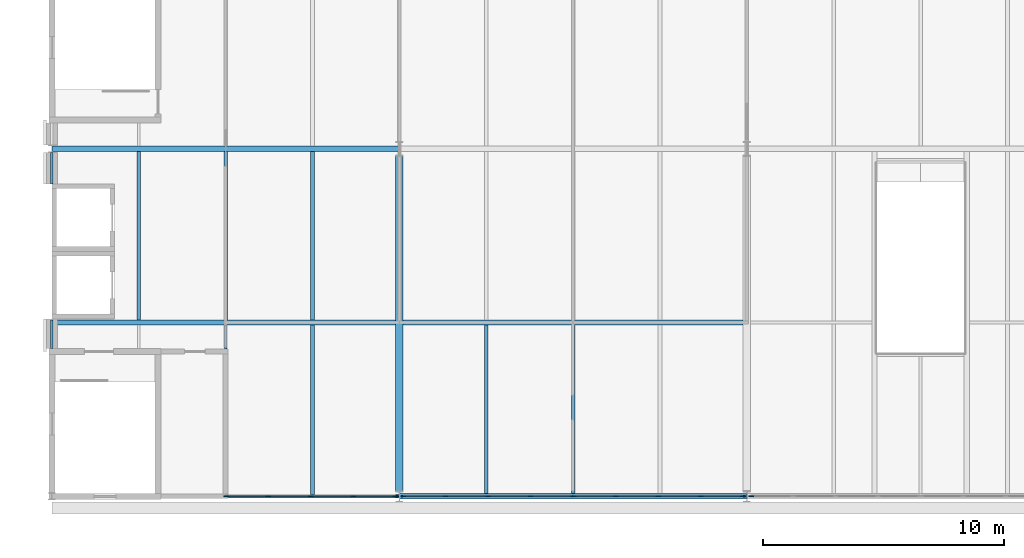
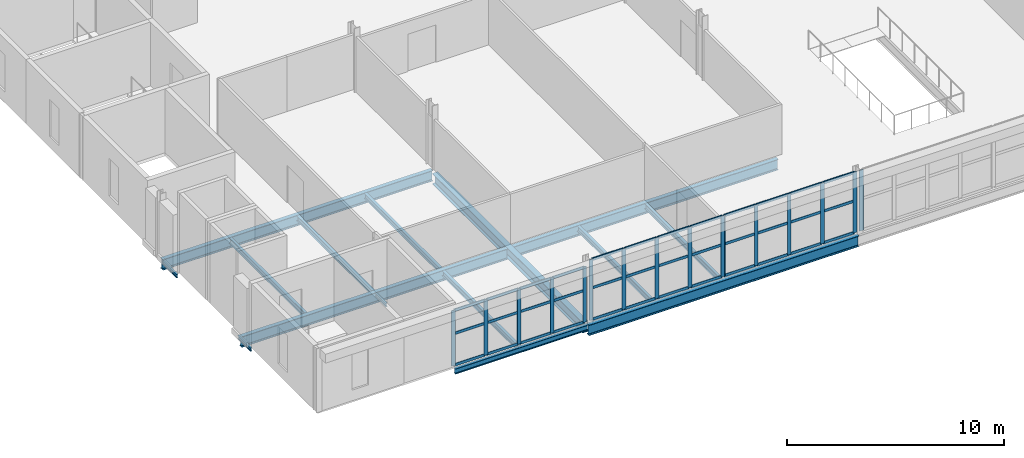
# One storey, part 22 of 142: 52 members, 15 beams, 4 elements without a shape of their own.
"""IFC4 building model written with IfcOpenShell, lengths in metres."""

import ifcopenshell
import ifcopenshell.guid

model = None  # the IFC model being written
_history = None  # IfcOwnerHistory: only IFC2X3 demands one
_inside = {}  # id of a spatial element -> (the spatial element, [elements in it])
_under = {}  # id of a project, library or spatial element -> (it, [spatial elements below it])
_declared = {}  # id of a project -> (the project, [libraries it declares])
_typed = {}  # id of a type object -> (the type object, [elements of that type])
_made_of = {}  # id of a material, layer set ... -> (it, [elements and type objects made of it])


def new_model(schema):
    """Start an empty IFC model of exactly this schema.

    Asked for "IFC4X3", IfcOpenShell would pick the latest addendum, in which some entities
    have other attributes; the version numbers below select the first issue.
    IFC2X3 requires an IfcOwnerHistory on every rooted entity: one is made here for all.
    """
    global model, _history
    if schema == "IFC4X3":
        model = ifcopenshell.file(schema_version=(4, 3, 0, 0))
    else:
        model = ifcopenshell.file(schema=schema)
    _inside.clear()
    _under.clear()
    _declared.clear()
    _typed.clear()
    _made_of.clear()
    _history = None
    if model.schema == "IFC2X3":
        org = make("IfcOrganization", Name="unknown")
        user = make(
            "IfcPersonAndOrganization",
            ThePerson=make("IfcPerson", FamilyName="unknown"),
            TheOrganization=org,
        )
        app = make(
            "IfcApplication",
            ApplicationDeveloper=org,
            Version="unknown",
            ApplicationFullName="unknown",
            ApplicationIdentifier="unknown",
        )
        _history = make(
            "IfcOwnerHistory",
            OwningUser=user,
            OwningApplication=app,
            ChangeAction="ADDED",
            CreationDate=0,
        )
    return model


def make(cls, **values):
    """One entity of the class cls with the attributes given. An attribute that is None is left unset."""
    return model.create_entity(
        cls, **{name: value for name, value in values.items() if value is not None}
    )


def rooted(cls, **values):
    """An entity with a GlobalId (a new one), such as an element, a storey or a relation."""
    return make(cls, GlobalId=ifcopenshell.guid.new(), OwnerHistory=_history, **values)


def si_unit(unit_type, name, prefix=None):
    """IfcSIUnit, for example si_unit("LENGTHUNIT", "METRE", prefix="MILLI")."""
    return make("IfcSIUnit", UnitType=unit_type, Prefix=prefix, Name=name)


def assignment(units):
    """IfcUnitAssignment: the units of a project."""
    return None if units is None else make("IfcUnitAssignment", Units=units)


def point(xyz):
    """IfcCartesianPoint."""
    return None if xyz is None else make("IfcCartesianPoint", Coordinates=xyz)


def direction(xyz):
    """IfcDirection."""
    return None if xyz is None else make("IfcDirection", DirectionRatios=xyz)


def frame(location, z_axis=None, x_axis=None):
    """IfcAxis2Placement3D, a coordinate frame: its origin and axes. An axis left out is left unset."""
    return make(
        "IfcAxis2Placement3D",
        Location=point(location),
        Axis=direction(z_axis),
        RefDirection=direction(x_axis),
    )


def frame_2d(location, x_axis=None):
    """IfcAxis2Placement2D, a coordinate frame in the plane: its origin and x axis."""
    return make(
        "IfcAxis2Placement2D", Location=point(location), RefDirection=direction(x_axis)
    )


def origin():
    """The frame at (0, 0, 0) with its axes left unset."""
    return frame((0.0, 0.0, 0.0))


def origin_2d():
    """The frame at (0, 0) in the plane with its x axis left unset."""
    return frame_2d((0.0, 0.0))


def place(relative_to, where):
    """IfcLocalPlacement: puts the frame where relative to a parent placement (None: the world)."""
    return make(
        "IfcLocalPlacement", PlacementRelTo=relative_to, RelativePlacement=where
    )


def context(
    kind, dimensions, precision=None, world=None, true_north=None, identifier=None
):
    """IfcGeometricRepresentationContext, for example the 3D "Model" context."""
    return make(
        "IfcGeometricRepresentationContext",
        ContextIdentifier=identifier,
        ContextType=kind,
        CoordinateSpaceDimension=dimensions,
        Precision=precision,
        WorldCoordinateSystem=world,
        TrueNorth=true_north,
    )


def subcontext(parent, identifier, kind, view, scale=None):
    """IfcGeometricRepresentationSubContext, for example "Body" below "Model"."""
    return make(
        "IfcGeometricRepresentationSubContext",
        ContextIdentifier=identifier,
        ContextType=kind,
        ParentContext=parent,
        TargetScale=scale,
        TargetView=view,
    )


def project(units=None, contexts=None):
    """IfcProject with its units and contexts."""
    return rooted(
        "IfcProject",
        Name="project",
        RepresentationContexts=contexts,
        UnitsInContext=assignment(units),
    )


def spatial(cls, under=None, at=None, **own):
    """A site, building, storey or space (cls), placed at a placement, below another one or the project."""
    s = rooted(cls, ObjectPlacement=at, **own)
    if under is not None:
        _under.setdefault(under.id(), (under, []))[1].append(s)
    return s


def profile(cls, at=None, kind="AREA", **sizes):
    """A parametric profile (cls). Its sizes go by their IFC names, for example OverallWidth=200.0."""
    return make(cls, ProfileType=kind, Position=at, **sizes)


def rectangle(**sizes):
    """IfcRectangleProfileDef."""
    return profile("IfcRectangleProfileDef", **sizes)


def i_section(**sizes):
    """IfcIShapeProfileDef."""
    return profile("IfcIShapeProfileDef", **sizes)


def extrude(swept, where, along, depth):
    """IfcExtrudedAreaSolid: the profile swept, set in the frame where, extruded along a direction by depth."""
    return make(
        "IfcExtrudedAreaSolid",
        SweptArea=swept,
        Position=where,
        ExtrudedDirection=direction(along),
        Depth=depth,
    )


def shape(context_of_items, identifier, shape_type, items):
    """IfcShapeRepresentation: the items that make up one representation, for example the "Body"."""
    return make(
        "IfcShapeRepresentation",
        ContextOfItems=context_of_items,
        RepresentationIdentifier=identifier,
        RepresentationType=shape_type,
        Items=items,
    )


def material(Name=None, Category=None):
    """IfcMaterial."""
    return make("IfcMaterial", Name=Name, Category=Category)


def material_profile(
    of_material, cross_section, Name=None, Category=None, Priority=None
):
    """IfcMaterialProfile: a cross section and its material."""
    return make(
        "IfcMaterialProfile",
        Name=Name,
        Material=of_material,
        Profile=cross_section,
        Priority=Priority,
        Category=Category,
    )


def profile_set(profiles, Name=None, composite=None):
    """IfcMaterialProfileSet."""
    return make(
        "IfcMaterialProfileSet",
        Name=Name,
        MaterialProfiles=profiles,
        CompositeProfile=composite,
    )


def made_of(thing, what):
    """Note that an element or type object is made of a material, layer set ...; save() writes the relation."""
    if what is not None:
        _made_of.setdefault(what.id(), (what, []))[1].append(thing)
    return thing


def type_object(cls, material=None, **own):
    """A type object (cls), such as IfcWallType, which elements share."""
    return made_of(rooted(cls, **own), material)


def element(
    cls,
    number,
    at=None,
    inside=None,
    cuts=None,
    type_object=None,
    material=None,
    context=None,
    identifier="Body",
    shape_type=None,
    held_by="IfcProductDefinitionShape",
    body=None,
    shapes=None,
    **own,
):
    """One element of the class cls, such as IfcWall. Its Tag is "e" and its number.

    at: its placement. inside: the storey or other place that contains it. cuts: it is an
    opening in that element (IfcRelVoidsElement). A single representation is given by context,
    identifier, shape_type and body (its items); several are given by shapes. held_by: the class
    of the entity that holds the representations. save() writes the other relations.
    """
    e = rooted(cls, Tag="e%d" % number, ObjectPlacement=at, **own)
    if body is not None:
        shapes = [shape(context, identifier, shape_type, body)]
    if shapes is not None:
        e.Representation = make(held_by, Representations=shapes)
    if inside is not None:
        _inside.setdefault(inside.id(), (inside, []))[1].append(e)
    if cuts is not None:
        rooted(
            "IfcRelVoidsElement", RelatingBuildingElement=cuts, RelatedOpeningElement=e
        )
    if type_object is not None:
        _typed.setdefault(type_object.id(), (type_object, []))[1].append(e)
    return made_of(e, material)


def aggregate(whole, parts):
    """IfcRelAggregates: a whole, such as a stair, and the parts it consists of."""
    return rooted("IfcRelAggregates", RelatingObject=whole, RelatedObjects=parts)


def save(model, path):
    """Write the relations noted so far, then the file.

    IfcRelAggregates (storeys below a building ...), IfcRelContainedInSpatialStructure (elements
    in a storey), IfcRelDefinesByType, IfcRelAssociatesMaterial and IfcRelDeclares: one each for
    every whole, place, type object, material and project.
    """
    for whole, parts in _under.values():
        aggregate(whole, parts)
    for where, things in _inside.values():
        rooted(
            "IfcRelContainedInSpatialStructure",
            RelatedElements=things,
            RelatingStructure=where,
        )
    for kind, things in _typed.values():
        rooted("IfcRelDefinesByType", RelatedObjects=things, RelatingType=kind)
    for what, things in _made_of.values():
        rooted("IfcRelAssociatesMaterial", RelatedObjects=things, RelatingMaterial=what)
    for by, libraries in _declared.values():
        rooted("IfcRelDeclares", RelatingContext=by, RelatedDefinitions=libraries)
    model.write(path)


model = new_model("IFC4")

# Units and contexts
model_context = context("Model", 3, precision=1e-05, world=origin(), true_north=direction((0.0, 1.0)))
body_context = subcontext(model_context, "Body", "Model", "MODEL_VIEW")
ifc_project = project(units=[si_unit("LENGTHUNIT", "METRE"), si_unit("AREAUNIT", "SQUARE_METRE"), si_unit("VOLUMEUNIT", "CUBIC_METRE"), si_unit("PLANEANGLEUNIT", "RADIAN"), si_unit("MASSUNIT", "GRAM", prefix="KILO")], contexts=[model_context])

# Site, building, storey
site_placement = place(None, origin())
site = spatial("IfcSite", under=ifc_project, at=site_placement, CompositionType="ELEMENT")
building_placement = place(site_placement, origin())
building = spatial("IfcBuilding", under=site, at=building_placement, Name="Kupolbacken Congress Centre", CompositionType="ELEMENT")
storey_placement = place(building_placement, frame((0.0, 0.0, 14.39990234375)))
storey = spatial("IfcBuildingStorey", under=building, at=storey_placement, Name="L04", CompositionType="ELEMENT", Elevation=14.39990234375)

# Beams
ifc_material_1 = material(Name="Steel S355", Category="steel")
ifc_material_profile_1 = material_profile(ifc_material_1, i_section(OverallWidth=0.10009765625, OverallDepth=0.199951171875, WebThickness=0.005615234375, FlangeThickness=0.008544921875, FilletRadius=0.011962890625, at=origin_2d()), Name="IPE 200")
ifc_profile_set_1 = profile_set([ifc_material_profile_1], Name="Steel S355")
beam_type_1 = type_object("IfcBeamType", Name="B01 beam IPE 200", PredefinedType="BEAM", material=ifc_profile_set_1)
beam_1_placement = place(storey_placement, frame((7.199951171875, 34.925048828125, -0.27978515625), z_axis=(0.0, 1.0, 0.0), x_axis=(-1.0, 0.0, 0.0)))
element("IfcBeam", 1, at=beam_1_placement, inside=storey, type_object=beam_type_1, Name="S/floor/F/L04/G001", PredefinedType="BEAM", context=body_context, shape_type="SweptSolid", body=[
    extrude(i_section(OverallWidth=0.10009765625, OverallDepth=0.199951171875, WebThickness=0.005615234375, FlangeThickness=0.008544921875, FilletRadius=0.011962890625, at=origin_2d()), origin(), (0.0, 0.0, 1.0), 1.184814453125),
])
beam_2_placement = place(storey_placement, frame((7.199951171875, 41.75, -0.27978515625), z_axis=(0.0, 1.0, 0.0), x_axis=(-1.0, 0.0, 0.0)))
element("IfcBeam", 2, at=beam_2_placement, inside=storey, type_object=beam_type_1, Name="S/floor/F/L04/G002", PredefinedType="BEAM", context=body_context, shape_type="SweptSolid", body=[
    extrude(i_section(OverallWidth=0.10009765625, OverallDepth=0.199951171875, WebThickness=0.005615234375, FlangeThickness=0.008544921875, FilletRadius=0.011962890625, at=origin_2d()), origin(), (0.0, 0.0, 1.0), 1.300048828125),
])
beam_3_placement = place(storey_placement, frame((14.39990234375, 34.89990234375, -0.27978515625), z_axis=(0.0, 1.0, 0.0), x_axis=(-1.0, 0.0, 0.0)))
element("IfcBeam", 3, at=beam_3_placement, inside=storey, type_object=beam_type_1, Name="S/floor/F/L04/S043", PredefinedType="BEAM", context=body_context, shape_type="SweptSolid", body=[
    extrude(i_section(OverallWidth=0.10009765625, OverallDepth=0.199951171875, WebThickness=0.005615234375, FlangeThickness=0.008544921875, FilletRadius=0.011962890625, at=origin_2d()), origin(), (0.0, 0.0, 1.0), 0.989990234375),
])
ifc_material_2 = material(Name="Steel S355", Category="steel")
ifc_material_profile_2 = material_profile(ifc_material_2, i_section(OverallWidth=0.14990234375, OverallDepth=0.300048828125, WebThickness=0.007080078125, FlangeThickness=0.0107421875, FilletRadius=0.014892578125, at=origin_2d()), Name="IPE 300")
ifc_profile_set_2 = profile_set([ifc_material_profile_2], Name="Steel S355")
beam_type_2 = type_object("IfcBeamType", Name="B04 beam IPE 300", PredefinedType="BEAM", material=ifc_profile_set_2)
beam_4_placement = place(storey_placement, frame((14.5, 28.800048828125, -0.329833984375), z_axis=(1.0, 0.0, 0.0), x_axis=(0.0, 1.0, 0.0)))
element("IfcBeam", 4, at=beam_4_placement, inside=storey, type_object=beam_type_2, Name="S/floor/F/L04/R015", PredefinedType="BEAM", context=body_context, shape_type="SweptSolid", body=[
    extrude(i_section(OverallWidth=0.14990234375, OverallDepth=0.300048828125, WebThickness=0.007080078125, FlangeThickness=0.0107421875, FilletRadius=0.014892578125, at=origin_2d()), origin(), (0.0, 0.0, 1.0), 7.093017578125),
])
for number, where, z_axis, x_axis, name in (
    (5, (10.800048828125, 36.110107421875, -0.329833984375), (0.0, 1.0, 0.0), (-1.0, 0.0, 0.0), "S/floor/F/L04/S041"),
    (6, (14.39990234375, 36.110107421875, -0.329833984375), (0.0, 1.0, 0.0), (-1.0, 0.0, 0.0), "S/floor/F/L04/S044"),
):
    element("IfcBeam", number, at=place(storey_placement, frame(where, z_axis=z_axis, x_axis=x_axis)), inside=storey, type_object=beam_type_2, Name=name, PredefinedType="BEAM", context=body_context, shape_type="SweptSolid", body=[
        extrude(i_section(OverallWidth=0.14990234375, OverallDepth=0.300048828125, WebThickness=0.007080078125, FlangeThickness=0.0107421875, FilletRadius=0.014892578125, at=origin_2d()), origin(), (0.0, 0.0, 1.0), 6.97998046875),
    ])
beam_5_placement = place(storey_placement, frame((18.0, 28.875, -0.329833984375), z_axis=(0.0, 1.0, 0.0), x_axis=(-1.0, 0.0, 0.0)))
element("IfcBeam", 7, at=beam_5_placement, inside=storey, type_object=beam_type_2, Name="S/floor/F/L04/S046", PredefinedType="BEAM", context=body_context, shape_type="SweptSolid", body=[
    extrude(i_section(OverallWidth=0.14990234375, OverallDepth=0.300048828125, WebThickness=0.007080078125, FlangeThickness=0.0107421875, FilletRadius=0.014892578125, at=origin_2d()), origin(), (0.0, 0.0, 1.0), 7.014892578125),
])
for number, where, z_axis, x_axis, name in (
    (8, (18.0, 36.110107421875, -0.329833984375), (0.0, 1.0, 0.0), (-1.0, 0.0, 0.0), "S/floor/F/L04/S047"),
    (9, (25.199951171875, 28.909912109375, -0.329833984375), (0.0, 1.0, 0.0), (-1.0, 0.0, 0.0), "S/floor/F/L04/S049"),
    (10, (28.800048828125, 28.909912109375, -0.329833984375), (0.0, 1.0, 0.0), (-1.0, 0.0, 0.0), "S/floor/F/L04/S052"),
):
    element("IfcBeam", number, at=place(storey_placement, frame(where, z_axis=z_axis, x_axis=x_axis)), inside=storey, type_object=beam_type_2, Name=name, PredefinedType="BEAM", context=body_context, shape_type="SweptSolid", body=[
        extrude(i_section(OverallWidth=0.14990234375, OverallDepth=0.300048828125, WebThickness=0.007080078125, FlangeThickness=0.0107421875, FilletRadius=0.014892578125, at=origin_2d()), origin(), (0.0, 0.0, 1.0), 6.97998046875),
    ])
ifc_material_3 = material(Name="Steel S355", Category="steel")
ifc_material_profile_3 = material_profile(ifc_material_3, i_section(OverallWidth=0.219970703125, OverallDepth=0.60009765625, WebThickness=0.011962890625, FlangeThickness=0.01904296875, FilletRadius=0.02392578125, at=origin_2d()), Name="IPE 600")
ifc_profile_set_3 = profile_set([ifc_material_profile_3], Name="Steel S355")
beam_type_3 = type_object("IfcBeamType", Name="B11 beam IPE 600", PredefinedType="BEAM", material=ifc_profile_set_3)
beam_6_placement = place(storey_placement, frame((21.60693359375, 28.800048828125, -0.47998046875), z_axis=(1.0, 0.0, 0.0), x_axis=(0.0, 1.0, 0.0)))
element("IfcBeam", 11, at=beam_6_placement, inside=storey, type_object=beam_type_3, Name="S/floor/F/L04/R016", PredefinedType="BEAM", context=body_context, shape_type="SweptSolid", body=[
    extrude(i_section(OverallWidth=0.219970703125, OverallDepth=0.60009765625, WebThickness=0.011962890625, FlangeThickness=0.01904296875, FilletRadius=0.02392578125, at=origin_2d()), origin(), (0.0, 0.0, 1.0), 14.385986328125),
])
beam_7_placement = place(storey_placement, frame((7.20556640625, 43.199951171875, -0.47998046875), z_axis=(1.0, 0.0, 0.0), x_axis=(0.0, 1.0, 0.0)))
element("IfcBeam", 12, at=beam_7_placement, inside=storey, type_object=beam_type_3, Name="S/floor/F/L04/R020", PredefinedType="BEAM", context=body_context, shape_type="SweptSolid", body=[
    extrude(i_section(OverallWidth=0.219970703125, OverallDepth=0.60009765625, WebThickness=0.011962890625, FlangeThickness=0.01904296875, FilletRadius=0.02392578125, at=origin_2d()), origin(), (0.0, 0.0, 1.0), 14.38671875),
])
beam_8_placement = place(storey_placement, frame((7.25, 36.0, -0.47998046875), z_axis=(1.0, 0.0, 0.0), x_axis=(0.0, 1.0, 0.0)))
element("IfcBeam", 13, at=beam_8_placement, inside=storey, type_object=beam_type_3, Name="S/floor/F/L04/R034", PredefinedType="BEAM", context=body_context, shape_type="SweptSolid", body=[
    extrude(i_section(OverallWidth=0.219970703125, OverallDepth=0.60009765625, WebThickness=0.011962890625, FlangeThickness=0.01904296875, FilletRadius=0.02392578125, at=origin_2d()), origin(), (0.0, 0.0, 1.0), 14.199951171875),
])
beam_9_placement = place(storey_placement, frame((21.75, 36.0, -0.47998046875), z_axis=(1.0, 0.0, 0.0), x_axis=(0.0, 1.0, 0.0)))
element("IfcBeam", 14, at=beam_9_placement, inside=storey, type_object=beam_type_3, Name="S/floor/F/L04/R035", PredefinedType="BEAM", context=body_context, shape_type="SweptSolid", body=[
    extrude(i_section(OverallWidth=0.219970703125, OverallDepth=0.60009765625, WebThickness=0.011962890625, FlangeThickness=0.01904296875, FilletRadius=0.02392578125, at=origin_2d()), origin(), (0.0, 0.0, 1.0), 14.10009765625),
])
ifc_material_4 = material(Name="Steel S355", Category="steel")
ifc_material_profile_4 = material_profile(ifc_material_4, i_section(OverallWidth=0.300048828125, OverallDepth=0.60009765625, WebThickness=0.015380859375, FlangeThickness=0.030029296875, FilletRadius=0.027099609375, at=origin_2d()), Name="HEB 600")
ifc_profile_set_4 = profile_set([ifc_material_profile_4], Name="Steel S355")
beam_type_4 = type_object("IfcBeamType", Name="B15 beam HEB 600", PredefinedType="BEAM", material=ifc_profile_set_4)
beam_10_placement = place(storey_placement, frame((21.60009765625, 29.02490234375, -0.47998046875), z_axis=(0.0, 1.0, 0.0), x_axis=(-1.0, 0.0, 0.0)))
element("IfcBeam", 15, at=beam_10_placement, inside=storey, type_object=beam_type_4, Name="S/floor/F/L04/G004", PredefinedType="BEAM", context=body_context, shape_type="SweptSolid", body=[
    extrude(i_section(OverallWidth=0.300048828125, OverallDepth=0.60009765625, WebThickness=0.015380859375, FlangeThickness=0.030029296875, FilletRadius=0.027099609375, at=origin_2d()), origin(), (0.0, 0.0, 1.0), 13.875),
])

# Curtain wall, members
ifc_material_5 = material(Name="Aluminium mullion-transom frame with glass", Category="aluminium")
curtain_wall_type = type_object("IfcCurtainWallType", Name="CW1 curtain wall 7200x3600", PredefinedType="NOTDEFINED", material=ifc_material_5)
curtain_wall_1_placement = place(storey_placement, origin())
curtain_wall_1 = element("IfcCurtainWall", 16, at=curtain_wall_1_placement, inside=storey, type_object=curtain_wall_type, Name="E/F/S/L04/413", PredefinedType="NOTDEFINED")
ifc_material_6 = material(Name="Aluminium alloy", Category="aluminium")
ifc_material_profile_5 = material_profile(ifc_material_6, rectangle(XDim=0.050048828125, YDim=0.199951171875, at=origin_2d()), Name="50 x 200")
ifc_profile_set_5 = profile_set([ifc_material_profile_5], Name="Aluminium alloy")
member_type_1 = type_object("IfcMemberType", Name="MU2 mullion 50x200", PredefinedType="MULLION", material=ifc_profile_set_5)
member_1_placement = place(storey_placement, frame((14.425048828125, 28.800048828125, 0.0), z_axis=(0.0, 0.0, 1.0), x_axis=(0.0, 1.0, 0.0)))
member_1 = element("IfcMember", 17, at=member_1_placement, type_object=member_type_1, Name="CW1 mullion 1", PredefinedType="MULLION", context=body_context, shape_type="SweptSolid", body=[
    extrude(rectangle(XDim=0.050048828125, YDim=0.199951171875, at=origin_2d()), origin(), (0.0, 0.0, 1.0), 3.1201171875),
])
member_2_placement = place(storey_placement, frame((16.16259765625, 28.800048828125, 0.0), z_axis=(0.0, 0.0, 1.0), x_axis=(0.0, 1.0, 0.0)))
member_2 = element("IfcMember", 18, at=member_2_placement, type_object=member_type_1, Name="CW1 mullion 2", PredefinedType="MULLION", context=body_context, shape_type="SweptSolid", body=[
    extrude(rectangle(XDim=0.050048828125, YDim=0.199951171875, at=origin_2d()), origin(), (0.0, 0.0, 1.0), 3.1201171875),
])
member_3_placement = place(storey_placement, frame((17.925048828125, 28.800048828125, 0.0), z_axis=(0.0, 0.0, 1.0), x_axis=(0.0, 1.0, 0.0)))
member_3 = element("IfcMember", 19, at=member_3_placement, type_object=member_type_1, Name="CW1 mullion 3", PredefinedType="MULLION", context=body_context, shape_type="SweptSolid", body=[
    extrude(rectangle(XDim=0.050048828125, YDim=0.199951171875, at=origin_2d()), origin(), (0.0, 0.0, 1.0), 3.1201171875),
])
member_4_placement = place(storey_placement, frame((19.6875, 28.800048828125, 0.0), z_axis=(0.0, 0.0, 1.0), x_axis=(0.0, 1.0, 0.0)))
member_4 = element("IfcMember", 20, at=member_4_placement, type_object=member_type_1, Name="CW1 mullion 4", PredefinedType="MULLION", context=body_context, shape_type="SweptSolid", body=[
    extrude(rectangle(XDim=0.050048828125, YDim=0.199951171875, at=origin_2d()), origin(), (0.0, 0.0, 1.0), 3.1201171875),
])
member_5_placement = place(storey_placement, frame((21.425048828125, 28.800048828125, 0.0), z_axis=(0.0, 0.0, 1.0), x_axis=(0.0, 1.0, 0.0)))
member_5 = element("IfcMember", 21, at=member_5_placement, type_object=member_type_1, Name="CW1 mullion 5", PredefinedType="MULLION", context=body_context, shape_type="SweptSolid", body=[
    extrude(rectangle(XDim=0.050048828125, YDim=0.199951171875, at=origin_2d()), origin(), (0.0, 0.0, 1.0), 3.1201171875),
])

curtain_wall_2_placement = place(storey_placement, origin())
curtain_wall_2 = element("IfcCurtainWall", 22, at=curtain_wall_2_placement, inside=storey, type_object=curtain_wall_type, Name="E/F/S/L04/414", PredefinedType="NOTDEFINED")
member_6_placement = place(storey_placement, frame((21.77490234375, 28.800048828125, 0.0), z_axis=(0.0, 0.0, 1.0), x_axis=(0.0, 1.0, 0.0)))
member_6 = element("IfcMember", 23, at=member_6_placement, type_object=member_type_1, Name="CW1 mullion 1", PredefinedType="MULLION", context=body_context, shape_type="SweptSolid", body=[
    extrude(rectangle(XDim=0.050048828125, YDim=0.199951171875, at=origin_2d()), origin(), (0.0, 0.0, 1.0), 3.420166015625),
])
member_7_placement = place(storey_placement, frame((23.512451171875, 28.800048828125, 0.0), z_axis=(0.0, 0.0, 1.0), x_axis=(0.0, 1.0, 0.0)))
member_7 = element("IfcMember", 24, at=member_7_placement, type_object=member_type_1, Name="CW1 mullion 2", PredefinedType="MULLION", context=body_context, shape_type="SweptSolid", body=[
    extrude(rectangle(XDim=0.050048828125, YDim=0.199951171875, at=origin_2d()), origin(), (0.0, 0.0, 1.0), 3.420166015625),
])
member_8_placement = place(storey_placement, frame((25.27490234375, 28.800048828125, 0.0), z_axis=(0.0, 0.0, 1.0), x_axis=(0.0, 1.0, 0.0)))
member_8 = element("IfcMember", 25, at=member_8_placement, type_object=member_type_1, Name="CW1 mullion 3", PredefinedType="MULLION", context=body_context, shape_type="SweptSolid", body=[
    extrude(rectangle(XDim=0.050048828125, YDim=0.199951171875, at=origin_2d()), origin(), (0.0, 0.0, 1.0), 3.420166015625),
])
member_9_placement = place(storey_placement, frame((27.03759765625, 28.800048828125, 0.0), z_axis=(0.0, 0.0, 1.0), x_axis=(0.0, 1.0, 0.0)))
member_9 = element("IfcMember", 26, at=member_9_placement, type_object=member_type_1, Name="CW1 mullion 4", PredefinedType="MULLION", context=body_context, shape_type="SweptSolid", body=[
    extrude(rectangle(XDim=0.050048828125, YDim=0.199951171875, at=origin_2d()), origin(), (0.0, 0.0, 1.0), 3.420166015625),
])
member_10_placement = place(storey_placement, frame((28.77490234375, 28.800048828125, 0.0), z_axis=(0.0, 0.0, 1.0), x_axis=(0.0, 1.0, 0.0)))
member_10 = element("IfcMember", 27, at=member_10_placement, type_object=member_type_1, Name="CW1 mullion 5", PredefinedType="MULLION", context=body_context, shape_type="SweptSolid", body=[
    extrude(rectangle(XDim=0.050048828125, YDim=0.199951171875, at=origin_2d()), origin(), (0.0, 0.0, 1.0), 3.420166015625),
])

curtain_wall_3_placement = place(storey_placement, origin())
curtain_wall_3 = element("IfcCurtainWall", 28, at=curtain_wall_3_placement, inside=storey, type_object=curtain_wall_type, Name="E/F/S/L04/415", PredefinedType="NOTDEFINED")
member_11_placement = place(storey_placement, frame((28.824951171875, 28.800048828125, 0.0), z_axis=(0.0, 0.0, 1.0), x_axis=(0.0, 1.0, 0.0)))
member_11 = element("IfcMember", 29, at=member_11_placement, type_object=member_type_1, Name="CW1 mullion 1", PredefinedType="MULLION", context=body_context, shape_type="SweptSolid", body=[
    extrude(rectangle(XDim=0.050048828125, YDim=0.199951171875, at=origin_2d()), origin(), (0.0, 0.0, 1.0), 3.420166015625),
])
member_12_placement = place(storey_placement, frame((30.5625, 28.800048828125, 0.0), z_axis=(0.0, 0.0, 1.0), x_axis=(0.0, 1.0, 0.0)))
member_12 = element("IfcMember", 30, at=member_12_placement, type_object=member_type_1, Name="CW1 mullion 2", PredefinedType="MULLION", context=body_context, shape_type="SweptSolid", body=[
    extrude(rectangle(XDim=0.050048828125, YDim=0.199951171875, at=origin_2d()), origin(), (0.0, 0.0, 1.0), 3.420166015625),
])
member_13_placement = place(storey_placement, frame((32.324951171875, 28.800048828125, 0.0), z_axis=(0.0, 0.0, 1.0), x_axis=(0.0, 1.0, 0.0)))
member_13 = element("IfcMember", 31, at=member_13_placement, type_object=member_type_1, Name="CW1 mullion 3", PredefinedType="MULLION", context=body_context, shape_type="SweptSolid", body=[
    extrude(rectangle(XDim=0.050048828125, YDim=0.199951171875, at=origin_2d()), origin(), (0.0, 0.0, 1.0), 3.420166015625),
])
member_14_placement = place(storey_placement, frame((34.08740234375, 28.800048828125, 0.0), z_axis=(0.0, 0.0, 1.0), x_axis=(0.0, 1.0, 0.0)))
member_14 = element("IfcMember", 32, at=member_14_placement, type_object=member_type_1, Name="CW1 mullion 4", PredefinedType="MULLION", context=body_context, shape_type="SweptSolid", body=[
    extrude(rectangle(XDim=0.050048828125, YDim=0.199951171875, at=origin_2d()), origin(), (0.0, 0.0, 1.0), 3.420166015625),
])
member_15_placement = place(storey_placement, frame((35.824951171875, 28.800048828125, 0.0), z_axis=(0.0, 0.0, 1.0), x_axis=(0.0, 1.0, 0.0)))
member_15 = element("IfcMember", 33, at=member_15_placement, type_object=member_type_1, Name="CW1 mullion 5", PredefinedType="MULLION", context=body_context, shape_type="SweptSolid", body=[
    extrude(rectangle(XDim=0.050048828125, YDim=0.199951171875, at=origin_2d()), origin(), (0.0, 0.0, 1.0), 3.420166015625),
])

# Curtain wall, member
curtain_wall_4_placement = place(storey_placement, origin())
curtain_wall_4 = element("IfcCurtainWall", 34, at=curtain_wall_4_placement, inside=storey, type_object=curtain_wall_type, Name="E/F/S/L04/416", PredefinedType="NOTDEFINED")
member_16_placement = place(storey_placement, frame((36.175048828125, 28.800048828125, 0.0), z_axis=(0.0, 0.0, 1.0), x_axis=(0.0, 1.0, 0.0)))
member_16 = element("IfcMember", 35, at=member_16_placement, type_object=member_type_1, Name="CW1 mullion 1", PredefinedType="MULLION", context=body_context, shape_type="SweptSolid", body=[
    extrude(rectangle(XDim=0.050048828125, YDim=0.199951171875, at=origin_2d()), origin(), (0.0, 0.0, 1.0), 3.420166015625),
])
aggregate(curtain_wall_4, [member_16])

# Member
ifc_material_7 = material(Name="Aluminium alloy", Category="aluminium")
ifc_material_profile_6 = material_profile(ifc_material_7, rectangle(XDim=0.050048828125, YDim=0.14990234375, at=origin_2d()), Name="50 x 150")
ifc_profile_set_6 = profile_set([ifc_material_profile_6], Name="Aluminium alloy")
member_type_2 = type_object("IfcMemberType", Name="TR2 transom 50x150", PredefinedType="MULLION", material=ifc_profile_set_6)
member_17_placement = place(storey_placement, frame((14.449951171875, 28.800048828125, 0.025146484375), z_axis=(1.0, 0.0, 0.0), x_axis=(0.0, 1.0, 0.0)))
member_17 = element("IfcMember", 36, at=member_17_placement, type_object=member_type_2, Name="CW1 transom 1.1", PredefinedType="MULLION", context=body_context, shape_type="SweptSolid", body=[
    extrude(rectangle(XDim=0.050048828125, YDim=0.14990234375, at=origin_2d()), origin(), (0.0, 0.0, 1.0), 1.6875),
])

member_18_placement = place(storey_placement, frame((14.449951171875, 28.800048828125, 1.800048828125), z_axis=(1.0, 0.0, 0.0), x_axis=(0.0, 1.0, 0.0)))
member_18 = element("IfcMember", 37, at=member_18_placement, type_object=member_type_2, Name="CW1 transom 1.2", PredefinedType="MULLION", context=body_context, shape_type="SweptSolid", body=[
    extrude(rectangle(XDim=0.050048828125, YDim=0.14990234375, at=origin_2d()), origin(), (0.0, 0.0, 1.0), 1.6875),
])

member_19_placement = place(storey_placement, frame((14.449951171875, 28.800048828125, 3.09521484375), z_axis=(1.0, 0.0, 0.0), x_axis=(0.0, 1.0, 0.0)))
member_19 = element("IfcMember", 38, at=member_19_placement, type_object=member_type_2, Name="CW1 transom 1.3", PredefinedType="MULLION", context=body_context, shape_type="SweptSolid", body=[
    extrude(rectangle(XDim=0.050048828125, YDim=0.14990234375, at=origin_2d()), origin(), (0.0, 0.0, 1.0), 1.6875),
])

member_20_placement = place(storey_placement, frame((16.1875, 28.800048828125, 0.025146484375), z_axis=(1.0, 0.0, 0.0), x_axis=(0.0, 1.0, 0.0)))
member_20 = element("IfcMember", 39, at=member_20_placement, type_object=member_type_2, Name="CW1 transom 2.1", PredefinedType="MULLION", context=body_context, shape_type="SweptSolid", body=[
    extrude(rectangle(XDim=0.050048828125, YDim=0.14990234375, at=origin_2d()), origin(), (0.0, 0.0, 1.0), 1.71240234375),
])

member_21_placement = place(storey_placement, frame((16.1875, 28.800048828125, 1.800048828125), z_axis=(1.0, 0.0, 0.0), x_axis=(0.0, 1.0, 0.0)))
member_21 = element("IfcMember", 40, at=member_21_placement, type_object=member_type_2, Name="CW1 transom 2.2", PredefinedType="MULLION", context=body_context, shape_type="SweptSolid", body=[
    extrude(rectangle(XDim=0.050048828125, YDim=0.14990234375, at=origin_2d()), origin(), (0.0, 0.0, 1.0), 1.71240234375),
])

member_22_placement = place(storey_placement, frame((16.1875, 28.800048828125, 3.09521484375), z_axis=(1.0, 0.0, 0.0), x_axis=(0.0, 1.0, 0.0)))
member_22 = element("IfcMember", 41, at=member_22_placement, type_object=member_type_2, Name="CW1 transom 2.3", PredefinedType="MULLION", context=body_context, shape_type="SweptSolid", body=[
    extrude(rectangle(XDim=0.050048828125, YDim=0.14990234375, at=origin_2d()), origin(), (0.0, 0.0, 1.0), 1.71240234375),
])

member_23_placement = place(storey_placement, frame((17.949951171875, 28.800048828125, 0.025146484375), z_axis=(1.0, 0.0, 0.0), x_axis=(0.0, 1.0, 0.0)))
member_23 = element("IfcMember", 42, at=member_23_placement, type_object=member_type_2, Name="CW1 transom 3.1", PredefinedType="MULLION", context=body_context, shape_type="SweptSolid", body=[
    extrude(rectangle(XDim=0.050048828125, YDim=0.14990234375, at=origin_2d()), origin(), (0.0, 0.0, 1.0), 1.712646484375),
])

member_24_placement = place(storey_placement, frame((17.949951171875, 28.800048828125, 1.800048828125), z_axis=(1.0, 0.0, 0.0), x_axis=(0.0, 1.0, 0.0)))
member_24 = element("IfcMember", 43, at=member_24_placement, type_object=member_type_2, Name="CW1 transom 3.2", PredefinedType="MULLION", context=body_context, shape_type="SweptSolid", body=[
    extrude(rectangle(XDim=0.050048828125, YDim=0.14990234375, at=origin_2d()), origin(), (0.0, 0.0, 1.0), 1.712646484375),
])

member_25_placement = place(storey_placement, frame((17.949951171875, 28.800048828125, 3.09521484375), z_axis=(1.0, 0.0, 0.0), x_axis=(0.0, 1.0, 0.0)))
member_25 = element("IfcMember", 44, at=member_25_placement, type_object=member_type_2, Name="CW1 transom 3.3", PredefinedType="MULLION", context=body_context, shape_type="SweptSolid", body=[
    extrude(rectangle(XDim=0.050048828125, YDim=0.14990234375, at=origin_2d()), origin(), (0.0, 0.0, 1.0), 1.712646484375),
])

member_26_placement = place(storey_placement, frame((19.71240234375, 28.800048828125, 0.025146484375), z_axis=(1.0, 0.0, 0.0), x_axis=(0.0, 1.0, 0.0)))
member_26 = element("IfcMember", 45, at=member_26_placement, type_object=member_type_2, Name="CW1 transom 4.1", PredefinedType="MULLION", context=body_context, shape_type="SweptSolid", body=[
    extrude(rectangle(XDim=0.050048828125, YDim=0.14990234375, at=origin_2d()), origin(), (0.0, 0.0, 1.0), 1.6875),
])

member_27_placement = place(storey_placement, frame((19.71240234375, 28.800048828125, 1.800048828125), z_axis=(1.0, 0.0, 0.0), x_axis=(0.0, 1.0, 0.0)))
member_27 = element("IfcMember", 46, at=member_27_placement, type_object=member_type_2, Name="CW1 transom 4.2", PredefinedType="MULLION", context=body_context, shape_type="SweptSolid", body=[
    extrude(rectangle(XDim=0.050048828125, YDim=0.14990234375, at=origin_2d()), origin(), (0.0, 0.0, 1.0), 1.6875),
])

member_28_placement = place(storey_placement, frame((19.71240234375, 28.800048828125, 3.09521484375), z_axis=(1.0, 0.0, 0.0), x_axis=(0.0, 1.0, 0.0)))
member_28 = element("IfcMember", 47, at=member_28_placement, type_object=member_type_2, Name="CW1 transom 4.3", PredefinedType="MULLION", context=body_context, shape_type="SweptSolid", body=[
    extrude(rectangle(XDim=0.050048828125, YDim=0.14990234375, at=origin_2d()), origin(), (0.0, 0.0, 1.0), 1.6875),
])

aggregate(curtain_wall_1, [member_1, member_2, member_3, member_4, member_5, member_17, member_18, member_19, member_20, member_21, member_22, member_23, member_24, member_25, member_26, member_27, member_28])

member_29_placement = place(storey_placement, frame((21.800048828125, 28.800048828125, 0.025146484375), z_axis=(1.0, 0.0, 0.0), x_axis=(0.0, 1.0, 0.0)))
member_29 = element("IfcMember", 48, at=member_29_placement, type_object=member_type_2, Name="CW1 transom 1.1", PredefinedType="MULLION", context=body_context, shape_type="SweptSolid", body=[
    extrude(rectangle(XDim=0.050048828125, YDim=0.14990234375, at=origin_2d()), origin(), (0.0, 0.0, 1.0), 1.6875),
])

member_30_placement = place(storey_placement, frame((21.800048828125, 28.800048828125, 1.800048828125), z_axis=(1.0, 0.0, 0.0), x_axis=(0.0, 1.0, 0.0)))
member_30 = element("IfcMember", 49, at=member_30_placement, type_object=member_type_2, Name="CW1 transom 1.2", PredefinedType="MULLION", context=body_context, shape_type="SweptSolid", body=[
    extrude(rectangle(XDim=0.050048828125, YDim=0.14990234375, at=origin_2d()), origin(), (0.0, 0.0, 1.0), 1.6875),
])

member_31_placement = place(storey_placement, frame((21.800048828125, 28.800048828125, 3.39501953125), z_axis=(1.0, 0.0, 0.0), x_axis=(0.0, 1.0, 0.0)))
member_31 = element("IfcMember", 50, at=member_31_placement, type_object=member_type_2, Name="CW1 transom 1.3", PredefinedType="MULLION", context=body_context, shape_type="SweptSolid", body=[
    extrude(rectangle(XDim=0.050048828125, YDim=0.14990234375, at=origin_2d()), origin(), (0.0, 0.0, 1.0), 1.6875),
])

member_32_placement = place(storey_placement, frame((23.53759765625, 28.800048828125, 0.025146484375), z_axis=(1.0, 0.0, 0.0), x_axis=(0.0, 1.0, 0.0)))
member_32 = element("IfcMember", 51, at=member_32_placement, type_object=member_type_2, Name="CW1 transom 2.1", PredefinedType="MULLION", context=body_context, shape_type="SweptSolid", body=[
    extrude(rectangle(XDim=0.050048828125, YDim=0.14990234375, at=origin_2d()), origin(), (0.0, 0.0, 1.0), 1.71240234375),
])

member_33_placement = place(storey_placement, frame((23.53759765625, 28.800048828125, 1.800048828125), z_axis=(1.0, 0.0, 0.0), x_axis=(0.0, 1.0, 0.0)))
member_33 = element("IfcMember", 52, at=member_33_placement, type_object=member_type_2, Name="CW1 transom 2.2", PredefinedType="MULLION", context=body_context, shape_type="SweptSolid", body=[
    extrude(rectangle(XDim=0.050048828125, YDim=0.14990234375, at=origin_2d()), origin(), (0.0, 0.0, 1.0), 1.71240234375),
])

member_34_placement = place(storey_placement, frame((23.53759765625, 28.800048828125, 3.39501953125), z_axis=(1.0, 0.0, 0.0), x_axis=(0.0, 1.0, 0.0)))
member_34 = element("IfcMember", 53, at=member_34_placement, type_object=member_type_2, Name="CW1 transom 2.3", PredefinedType="MULLION", context=body_context, shape_type="SweptSolid", body=[
    extrude(rectangle(XDim=0.050048828125, YDim=0.14990234375, at=origin_2d()), origin(), (0.0, 0.0, 1.0), 1.71240234375),
])

member_35_placement = place(storey_placement, frame((25.300048828125, 28.800048828125, 0.025146484375), z_axis=(1.0, 0.0, 0.0), x_axis=(0.0, 1.0, 0.0)))
member_35 = element("IfcMember", 54, at=member_35_placement, type_object=member_type_2, Name="CW1 transom 3.1", PredefinedType="MULLION", context=body_context, shape_type="SweptSolid", body=[
    extrude(rectangle(XDim=0.050048828125, YDim=0.14990234375, at=origin_2d()), origin(), (0.0, 0.0, 1.0), 1.71240234375),
])

member_36_placement = place(storey_placement, frame((25.300048828125, 28.800048828125, 1.800048828125), z_axis=(1.0, 0.0, 0.0), x_axis=(0.0, 1.0, 0.0)))
member_36 = element("IfcMember", 55, at=member_36_placement, type_object=member_type_2, Name="CW1 transom 3.2", PredefinedType="MULLION", context=body_context, shape_type="SweptSolid", body=[
    extrude(rectangle(XDim=0.050048828125, YDim=0.14990234375, at=origin_2d()), origin(), (0.0, 0.0, 1.0), 1.71240234375),
])

member_37_placement = place(storey_placement, frame((25.300048828125, 28.800048828125, 3.39501953125), z_axis=(1.0, 0.0, 0.0), x_axis=(0.0, 1.0, 0.0)))
member_37 = element("IfcMember", 56, at=member_37_placement, type_object=member_type_2, Name="CW1 transom 3.3", PredefinedType="MULLION", context=body_context, shape_type="SweptSolid", body=[
    extrude(rectangle(XDim=0.050048828125, YDim=0.14990234375, at=origin_2d()), origin(), (0.0, 0.0, 1.0), 1.71240234375),
])

member_38_placement = place(storey_placement, frame((27.0625, 28.800048828125, 0.025146484375), z_axis=(1.0, 0.0, 0.0), x_axis=(0.0, 1.0, 0.0)))
member_38 = element("IfcMember", 57, at=member_38_placement, type_object=member_type_2, Name="CW1 transom 4.1", PredefinedType="MULLION", context=body_context, shape_type="SweptSolid", body=[
    extrude(rectangle(XDim=0.050048828125, YDim=0.14990234375, at=origin_2d()), origin(), (0.0, 0.0, 1.0), 1.6875),
])

member_39_placement = place(storey_placement, frame((27.0625, 28.800048828125, 1.800048828125), z_axis=(1.0, 0.0, 0.0), x_axis=(0.0, 1.0, 0.0)))
member_39 = element("IfcMember", 58, at=member_39_placement, type_object=member_type_2, Name="CW1 transom 4.2", PredefinedType="MULLION", context=body_context, shape_type="SweptSolid", body=[
    extrude(rectangle(XDim=0.050048828125, YDim=0.14990234375, at=origin_2d()), origin(), (0.0, 0.0, 1.0), 1.6875),
])

member_40_placement = place(storey_placement, frame((27.0625, 28.800048828125, 3.39501953125), z_axis=(1.0, 0.0, 0.0), x_axis=(0.0, 1.0, 0.0)))
member_40 = element("IfcMember", 59, at=member_40_placement, type_object=member_type_2, Name="CW1 transom 4.3", PredefinedType="MULLION", context=body_context, shape_type="SweptSolid", body=[
    extrude(rectangle(XDim=0.050048828125, YDim=0.14990234375, at=origin_2d()), origin(), (0.0, 0.0, 1.0), 1.6875),
])

aggregate(curtain_wall_2, [member_6, member_7, member_8, member_9, member_10, member_29, member_30, member_31, member_32, member_33, member_34, member_35, member_36, member_37, member_38, member_39, member_40])

member_41_placement = place(storey_placement, frame((28.85009765625, 28.800048828125, 0.025146484375), z_axis=(1.0, 0.0, 0.0), x_axis=(0.0, 1.0, 0.0)))
member_41 = element("IfcMember", 60, at=member_41_placement, type_object=member_type_2, Name="CW1 transom 1.1", PredefinedType="MULLION", context=body_context, shape_type="SweptSolid", body=[
    extrude(rectangle(XDim=0.050048828125, YDim=0.14990234375, at=origin_2d()), origin(), (0.0, 0.0, 1.0), 1.6875),
])

member_42_placement = place(storey_placement, frame((28.85009765625, 28.800048828125, 1.800048828125), z_axis=(1.0, 0.0, 0.0), x_axis=(0.0, 1.0, 0.0)))
member_42 = element("IfcMember", 61, at=member_42_placement, type_object=member_type_2, Name="CW1 transom 1.2", PredefinedType="MULLION", context=body_context, shape_type="SweptSolid", body=[
    extrude(rectangle(XDim=0.050048828125, YDim=0.14990234375, at=origin_2d()), origin(), (0.0, 0.0, 1.0), 1.6875),
])

member_43_placement = place(storey_placement, frame((28.85009765625, 28.800048828125, 3.39501953125), z_axis=(1.0, 0.0, 0.0), x_axis=(0.0, 1.0, 0.0)))
member_43 = element("IfcMember", 62, at=member_43_placement, type_object=member_type_2, Name="CW1 transom 1.3", PredefinedType="MULLION", context=body_context, shape_type="SweptSolid", body=[
    extrude(rectangle(XDim=0.050048828125, YDim=0.14990234375, at=origin_2d()), origin(), (0.0, 0.0, 1.0), 1.6875),
])

member_44_placement = place(storey_placement, frame((30.58740234375, 28.800048828125, 0.025146484375), z_axis=(1.0, 0.0, 0.0), x_axis=(0.0, 1.0, 0.0)))
member_44 = element("IfcMember", 63, at=member_44_placement, type_object=member_type_2, Name="CW1 transom 2.1", PredefinedType="MULLION", context=body_context, shape_type="SweptSolid", body=[
    extrude(rectangle(XDim=0.050048828125, YDim=0.14990234375, at=origin_2d()), origin(), (0.0, 0.0, 1.0), 1.712646484375),
])

member_45_placement = place(storey_placement, frame((30.58740234375, 28.800048828125, 1.800048828125), z_axis=(1.0, 0.0, 0.0), x_axis=(0.0, 1.0, 0.0)))
member_45 = element("IfcMember", 64, at=member_45_placement, type_object=member_type_2, Name="CW1 transom 2.2", PredefinedType="MULLION", context=body_context, shape_type="SweptSolid", body=[
    extrude(rectangle(XDim=0.050048828125, YDim=0.14990234375, at=origin_2d()), origin(), (0.0, 0.0, 1.0), 1.712646484375),
])

member_46_placement = place(storey_placement, frame((30.58740234375, 28.800048828125, 3.39501953125), z_axis=(1.0, 0.0, 0.0), x_axis=(0.0, 1.0, 0.0)))
member_46 = element("IfcMember", 65, at=member_46_placement, type_object=member_type_2, Name="CW1 transom 2.3", PredefinedType="MULLION", context=body_context, shape_type="SweptSolid", body=[
    extrude(rectangle(XDim=0.050048828125, YDim=0.14990234375, at=origin_2d()), origin(), (0.0, 0.0, 1.0), 1.712646484375),
])

member_47_placement = place(storey_placement, frame((32.35009765625, 28.800048828125, 0.025146484375), z_axis=(1.0, 0.0, 0.0), x_axis=(0.0, 1.0, 0.0)))
member_47 = element("IfcMember", 66, at=member_47_placement, type_object=member_type_2, Name="CW1 transom 3.1", PredefinedType="MULLION", context=body_context, shape_type="SweptSolid", body=[
    extrude(rectangle(XDim=0.050048828125, YDim=0.14990234375, at=origin_2d()), origin(), (0.0, 0.0, 1.0), 1.71240234375),
])

member_48_placement = place(storey_placement, frame((32.35009765625, 28.800048828125, 1.800048828125), z_axis=(1.0, 0.0, 0.0), x_axis=(0.0, 1.0, 0.0)))
member_48 = element("IfcMember", 67, at=member_48_placement, type_object=member_type_2, Name="CW1 transom 3.2", PredefinedType="MULLION", context=body_context, shape_type="SweptSolid", body=[
    extrude(rectangle(XDim=0.050048828125, YDim=0.14990234375, at=origin_2d()), origin(), (0.0, 0.0, 1.0), 1.71240234375),
])

member_49_placement = place(storey_placement, frame((32.35009765625, 28.800048828125, 3.39501953125), z_axis=(1.0, 0.0, 0.0), x_axis=(0.0, 1.0, 0.0)))
member_49 = element("IfcMember", 68, at=member_49_placement, type_object=member_type_2, Name="CW1 transom 3.3", PredefinedType="MULLION", context=body_context, shape_type="SweptSolid", body=[
    extrude(rectangle(XDim=0.050048828125, YDim=0.14990234375, at=origin_2d()), origin(), (0.0, 0.0, 1.0), 1.71240234375),
])

member_50_placement = place(storey_placement, frame((34.112548828125, 28.800048828125, 0.025146484375), z_axis=(1.0, 0.0, 0.0), x_axis=(0.0, 1.0, 0.0)))
member_50 = element("IfcMember", 69, at=member_50_placement, type_object=member_type_2, Name="CW1 transom 4.1", PredefinedType="MULLION", context=body_context, shape_type="SweptSolid", body=[
    extrude(rectangle(XDim=0.050048828125, YDim=0.14990234375, at=origin_2d()), origin(), (0.0, 0.0, 1.0), 1.6875),
])

member_51_placement = place(storey_placement, frame((34.112548828125, 28.800048828125, 1.800048828125), z_axis=(1.0, 0.0, 0.0), x_axis=(0.0, 1.0, 0.0)))
member_51 = element("IfcMember", 70, at=member_51_placement, type_object=member_type_2, Name="CW1 transom 4.2", PredefinedType="MULLION", context=body_context, shape_type="SweptSolid", body=[
    extrude(rectangle(XDim=0.050048828125, YDim=0.14990234375, at=origin_2d()), origin(), (0.0, 0.0, 1.0), 1.6875),
])

member_52_placement = place(storey_placement, frame((34.112548828125, 28.800048828125, 3.39501953125), z_axis=(1.0, 0.0, 0.0), x_axis=(0.0, 1.0, 0.0)))
member_52 = element("IfcMember", 71, at=member_52_placement, type_object=member_type_2, Name="CW1 transom 4.3", PredefinedType="MULLION", context=body_context, shape_type="SweptSolid", body=[
    extrude(rectangle(XDim=0.050048828125, YDim=0.14990234375, at=origin_2d()), origin(), (0.0, 0.0, 1.0), 1.6875),
])

aggregate(curtain_wall_3, [member_11, member_12, member_13, member_14, member_15, member_41, member_42, member_43, member_44, member_45, member_46, member_47, member_48, member_49, member_50, member_51, member_52])

save(model, "model.ifc")
